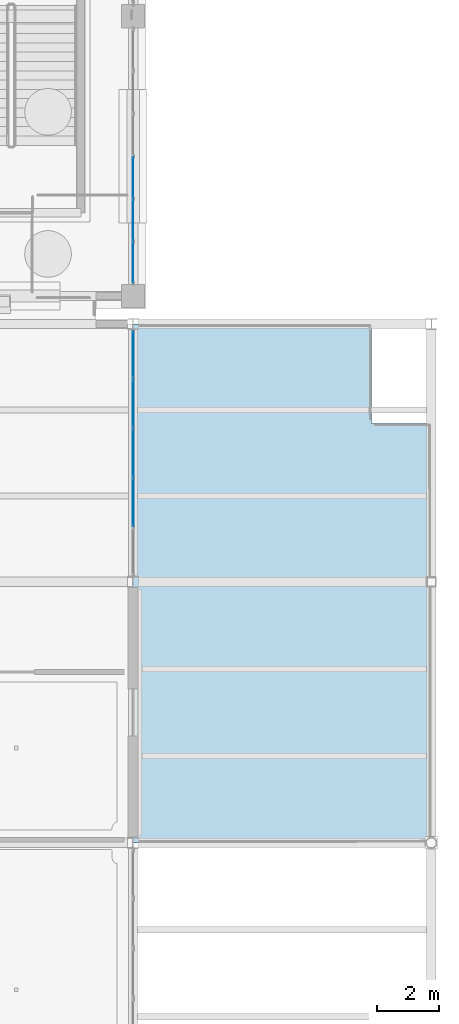
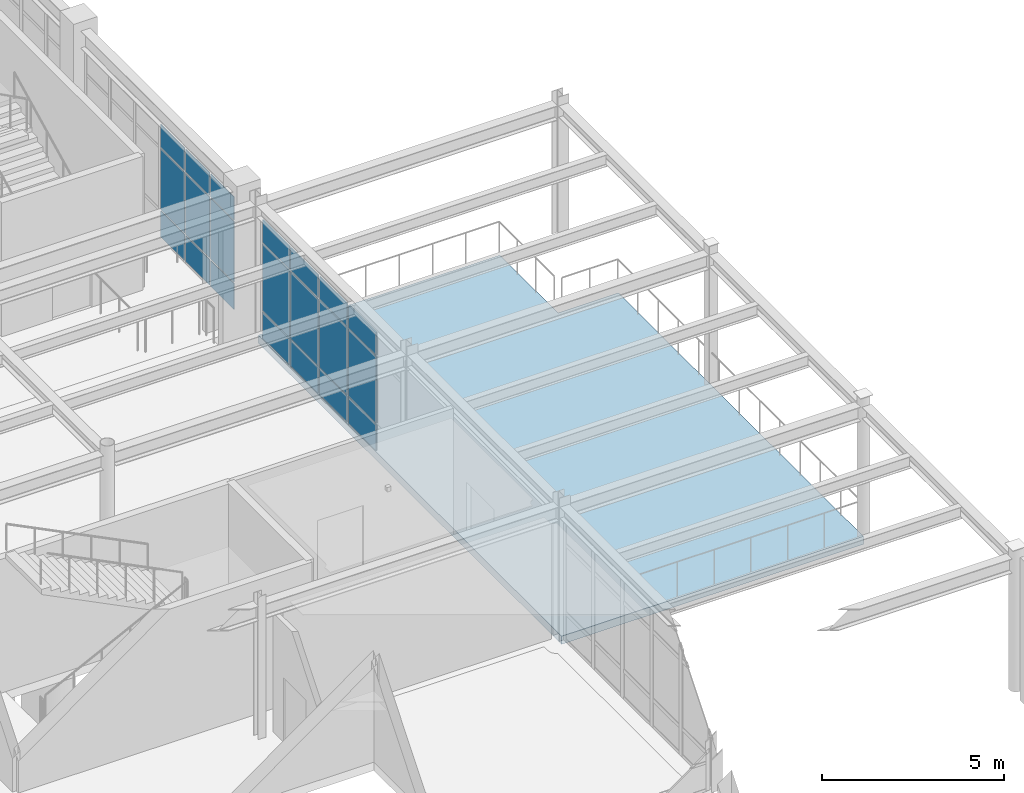
# One storey, part 94 of 139: 21 plates, 1 slab, 2 elements without a shape of their own.
"""IFC4 building model written with IfcOpenShell, lengths in metres."""

from ifc_helpers import new_model, si_unit, direction, frame, origin, origin_2d, place, context, subcontext, project, spatial, polyline, rectangle, outline, extrude, material, layer, layer_set, type_object, element, aggregate, save


model = new_model("IFC4")

# Units and contexts
model_context = context("Model", 3, precision=1e-05, world=origin(), true_north=direction((0.0, 1.0)))
body_context = subcontext(model_context, "Body", "Model", "MODEL_VIEW")
ifc_project = project(units=[si_unit("LENGTHUNIT", "METRE"), si_unit("AREAUNIT", "SQUARE_METRE"), si_unit("VOLUMEUNIT", "CUBIC_METRE"), si_unit("PLANEANGLEUNIT", "RADIAN"), si_unit("MASSUNIT", "GRAM", prefix="KILO")], contexts=[model_context])

# Site, building, storey
site_placement = place(None, origin())
site = spatial("IfcSite", under=ifc_project, at=site_placement, CompositionType="ELEMENT")
building_placement = place(site_placement, origin())
building = spatial("IfcBuilding", under=site, at=building_placement, Name="Canglan Escarpment Cableway Terminal", CompositionType="ELEMENT")
storey_placement = place(building_placement, frame((0.0, 0.0, 14.39990234375)))
storey = spatial("IfcBuildingStorey", under=building, at=storey_placement, Name="L03", CompositionType="ELEMENT", Elevation=14.39990234375)

# Curtain wall, plates
ifc_material_1 = material(Name="Anodized bronze aluminium and Low-E double glazing", Category="aluminium")
curtain_wall_type_1 = type_object("IfcCurtainWallType", Name="CW-BAY-8250x3900", PredefinedType="NOTDEFINED", material=ifc_material_1)
curtain_wall_1_placement = place(storey_placement, origin())
curtain_wall_1 = element("IfcCurtainWall", 1, at=curtain_wall_1_placement, inside=storey, type_object=curtain_wall_type_1, Name="Classical bay-between-piers glazed curtain wall CW-62", PredefinedType="NOTDEFINED")
ifc_material_2 = material(Name="Double-silver Low-E laminated insulating glass", Category="glass")
ifc_layer_1 = layer(ifc_material_2, 0.02392578125, Name="Double-silver Low-E laminated insulating glass")
ifc_layer_set_1 = layer_set([ifc_layer_1], Name="Double-silver Low-E laminated insulating glass")
plate_type_1 = type_object("IfcPlateType", Name="CWP-01", PredefinedType="CURTAIN_PANEL", material=ifc_layer_set_1)
plate_1_placement = place(storey_placement, frame((166.39990234375, 35.077392578125, 0.05517578125), z_axis=(0.0, 0.0, 1.0), x_axis=(0.0, 1.0, 0.0)))
plate_1 = element("IfcPlate", 2, at=plate_1_placement, type_object=plate_type_1, Name="CW-62 panel 1.1", PredefinedType="CURTAIN_PANEL", context=body_context, shape_type="SweptSolid", body=[
    extrude(rectangle(XDim=1.284912109375, YDim=0.02392578125, at=origin_2d()), origin(), (0.0, 0.0, 1.0), 0.867431640625),
])
plate_2_placement = place(storey_placement, frame((166.39990234375, 35.077392578125, 0.9775390625), z_axis=(0.0, 0.0, 1.0), x_axis=(0.0, 1.0, 0.0)))
plate_2 = element("IfcPlate", 3, at=plate_2_placement, type_object=plate_type_1, Name="CW-62 panel 1.2", PredefinedType="CURTAIN_PANEL", context=body_context, shape_type="SweptSolid", body=[
    extrude(rectangle(XDim=1.284912109375, YDim=0.02392578125, at=origin_2d()), origin(), (0.0, 0.0, 1.0), 2.035888671875),
])
plate_3_placement = place(storey_placement, frame((166.39990234375, 35.077392578125, 3.068603515625), z_axis=(0.0, 0.0, 1.0), x_axis=(0.0, 1.0, 0.0)))
plate_3 = element("IfcPlate", 4, at=plate_3_placement, type_object=plate_type_1, Name="CW-62 panel 1.3", PredefinedType="CURTAIN_PANEL", context=body_context, shape_type="SweptSolid", body=[
    extrude(rectangle(XDim=1.284912109375, YDim=0.02392578125, at=origin_2d()), origin(), (0.0, 0.0, 1.0), 0.767578125),
])
plate_4_placement = place(storey_placement, frame((166.39990234375, 36.4375, 0.05517578125), z_axis=(0.0, 0.0, 1.0), x_axis=(0.0, 1.0, 0.0)))
plate_4 = element("IfcPlate", 5, at=plate_4_placement, type_object=plate_type_1, Name="CW-62 panel 2.1", PredefinedType="CURTAIN_PANEL", context=body_context, shape_type="SweptSolid", body=[
    extrude(rectangle(XDim=1.31494140625, YDim=0.02392578125, at=origin_2d()), origin(), (0.0, 0.0, 1.0), 0.867431640625),
])
plate_5_placement = place(storey_placement, frame((166.39990234375, 36.4375, 0.9775390625), z_axis=(0.0, 0.0, 1.0), x_axis=(0.0, 1.0, 0.0)))
plate_5 = element("IfcPlate", 6, at=plate_5_placement, type_object=plate_type_1, Name="CW-62 panel 2.2", PredefinedType="CURTAIN_PANEL", context=body_context, shape_type="SweptSolid", body=[
    extrude(rectangle(XDim=1.31494140625, YDim=0.02392578125, at=origin_2d()), origin(), (0.0, 0.0, 1.0), 2.035888671875),
])
plate_6_placement = place(storey_placement, frame((166.39990234375, 36.4375, 3.068603515625), z_axis=(0.0, 0.0, 1.0), x_axis=(0.0, 1.0, 0.0)))
plate_6 = element("IfcPlate", 7, at=plate_6_placement, type_object=plate_type_1, Name="CW-62 panel 2.3", PredefinedType="CURTAIN_PANEL", context=body_context, shape_type="SweptSolid", body=[
    extrude(rectangle(XDim=1.31494140625, YDim=0.02392578125, at=origin_2d()), origin(), (0.0, 0.0, 1.0), 0.767578125),
])
plate_7_placement = place(storey_placement, frame((166.39990234375, 37.8125, 0.05517578125), z_axis=(0.0, 0.0, 1.0), x_axis=(0.0, 1.0, 0.0)))
plate_7 = element("IfcPlate", 8, at=plate_7_placement, type_object=plate_type_1, Name="CW-62 panel 3.1", PredefinedType="CURTAIN_PANEL", context=body_context, shape_type="SweptSolid", body=[
    extrude(rectangle(XDim=1.31494140625, YDim=0.02392578125, at=origin_2d()), origin(), (0.0, 0.0, 1.0), 0.867431640625),
])
plate_8_placement = place(storey_placement, frame((166.39990234375, 37.8125, 0.9775390625), z_axis=(0.0, 0.0, 1.0), x_axis=(0.0, 1.0, 0.0)))
plate_8 = element("IfcPlate", 9, at=plate_8_placement, type_object=plate_type_1, Name="CW-62 panel 3.2", PredefinedType="CURTAIN_PANEL", context=body_context, shape_type="SweptSolid", body=[
    extrude(rectangle(XDim=1.31494140625, YDim=0.02392578125, at=origin_2d()), origin(), (0.0, 0.0, 1.0), 2.035888671875),
])
plate_9_placement = place(storey_placement, frame((166.39990234375, 37.8125, 3.068603515625), z_axis=(0.0, 0.0, 1.0), x_axis=(0.0, 1.0, 0.0)))
plate_9 = element("IfcPlate", 10, at=plate_9_placement, type_object=plate_type_1, Name="CW-62 panel 3.3", PredefinedType="CURTAIN_PANEL", context=body_context, shape_type="SweptSolid", body=[
    extrude(rectangle(XDim=1.31494140625, YDim=0.02392578125, at=origin_2d()), origin(), (0.0, 0.0, 1.0), 0.767578125),
])
aggregate(curtain_wall_1, [plate_1, plate_2, plate_3, plate_4, plate_5, plate_6, plate_7, plate_8, plate_9])

curtain_wall_type_2 = type_object("IfcCurtainWallType", Name="CW-BAY-7950x4100", PredefinedType="NOTDEFINED", material=ifc_material_1)
curtain_wall_2_placement = place(storey_placement, origin())
curtain_wall_2 = element("IfcCurtainWall", 11, at=curtain_wall_2_placement, inside=storey, type_object=curtain_wall_type_2, Name="Classical bay-between-piers glazed curtain wall CW-31", PredefinedType="NOTDEFINED")
ifc_layer_2 = layer(ifc_material_2, 0.031982421875, Name="Double-silver Low-E laminated insulating glass")
ifc_layer_set_2 = layer_set([ifc_layer_2], Name="Double-silver Low-E laminated insulating glass")
plate_type_2 = type_object("IfcPlateType", Name="CWP-03", PredefinedType="CURTAIN_PANEL", material=ifc_layer_set_2)
plate_10_placement = place(storey_placement, frame((166.39990234375, 27.360107421875, 0.06005859375), z_axis=(0.0, 0.0, 1.0), x_axis=(0.0, 1.0, 0.0)))
plate_10 = element("IfcPlate", 12, at=plate_10_placement, type_object=plate_type_2, Name="CW-31 panel 2.1", PredefinedType="CURTAIN_PANEL", context=body_context, shape_type="SweptSolid", body=[
    extrude(rectangle(XDim=1.52490234375, YDim=0.031982421875, at=origin_2d()), origin(), (0.0, 0.0, 1.0), 0.860107421875),
])
plate_11_placement = place(storey_placement, frame((166.39990234375, 27.360107421875, 0.97998046875), z_axis=(0.0, 0.0, 1.0), x_axis=(0.0, 1.0, 0.0)))
plate_11 = element("IfcPlate", 13, at=plate_11_placement, type_object=plate_type_2, Name="CW-31 panel 2.2", PredefinedType="CURTAIN_PANEL", context=body_context, shape_type="SweptSolid", body=[
    extrude(rectangle(XDim=1.52490234375, YDim=0.031982421875, at=origin_2d()), origin(), (0.0, 0.0, 1.0), 2.235107421875),
])
plate_12_placement = place(storey_placement, frame((166.39990234375, 27.360107421875, 3.27490234375), z_axis=(0.0, 0.0, 1.0), x_axis=(0.0, 1.0, 0.0)))
plate_12 = element("IfcPlate", 14, at=plate_12_placement, type_object=plate_type_2, Name="CW-31 panel 2.3", PredefinedType="CURTAIN_PANEL", context=body_context, shape_type="SweptSolid", body=[
    extrude(rectangle(XDim=1.52490234375, YDim=0.031982421875, at=origin_2d()), origin(), (0.0, 0.0, 1.0), 0.760009765625),
])
plate_13_placement = place(storey_placement, frame((166.39990234375, 28.949951171875, 0.06005859375), z_axis=(0.0, 0.0, 1.0), x_axis=(0.0, 1.0, 0.0)))
plate_13 = element("IfcPlate", 15, at=plate_13_placement, type_object=plate_type_2, Name="CW-31 panel 3.1", PredefinedType="CURTAIN_PANEL", context=body_context, shape_type="SweptSolid", body=[
    extrude(rectangle(XDim=1.52490234375, YDim=0.031982421875, at=origin_2d()), origin(), (0.0, 0.0, 1.0), 0.860107421875),
])
plate_14_placement = place(storey_placement, frame((166.39990234375, 28.949951171875, 0.97998046875), z_axis=(0.0, 0.0, 1.0), x_axis=(0.0, 1.0, 0.0)))
plate_14 = element("IfcPlate", 16, at=plate_14_placement, type_object=plate_type_2, Name="CW-31 panel 3.2", PredefinedType="CURTAIN_PANEL", context=body_context, shape_type="SweptSolid", body=[
    extrude(rectangle(XDim=1.52490234375, YDim=0.031982421875, at=origin_2d()), origin(), (0.0, 0.0, 1.0), 2.235107421875),
])
plate_15_placement = place(storey_placement, frame((166.39990234375, 28.949951171875, 3.27490234375), z_axis=(0.0, 0.0, 1.0), x_axis=(0.0, 1.0, 0.0)))
plate_15 = element("IfcPlate", 17, at=plate_15_placement, type_object=plate_type_2, Name="CW-31 panel 3.3", PredefinedType="CURTAIN_PANEL", context=body_context, shape_type="SweptSolid", body=[
    extrude(rectangle(XDim=1.52490234375, YDim=0.031982421875, at=origin_2d()), origin(), (0.0, 0.0, 1.0), 0.760009765625),
])
plate_16_placement = place(storey_placement, frame((166.39990234375, 30.5400390625, 0.06005859375), z_axis=(0.0, 0.0, 1.0), x_axis=(0.0, 1.0, 0.0)))
plate_16 = element("IfcPlate", 18, at=plate_16_placement, type_object=plate_type_2, Name="CW-31 panel 4.1", PredefinedType="CURTAIN_PANEL", context=body_context, shape_type="SweptSolid", body=[
    extrude(rectangle(XDim=1.52490234375, YDim=0.031982421875, at=origin_2d()), origin(), (0.0, 0.0, 1.0), 0.860107421875),
])
plate_17_placement = place(storey_placement, frame((166.39990234375, 30.5400390625, 0.97998046875), z_axis=(0.0, 0.0, 1.0), x_axis=(0.0, 1.0, 0.0)))
plate_17 = element("IfcPlate", 19, at=plate_17_placement, type_object=plate_type_2, Name="CW-31 panel 4.2", PredefinedType="CURTAIN_PANEL", context=body_context, shape_type="SweptSolid", body=[
    extrude(rectangle(XDim=1.52490234375, YDim=0.031982421875, at=origin_2d()), origin(), (0.0, 0.0, 1.0), 2.235107421875),
])
plate_18_placement = place(storey_placement, frame((166.39990234375, 30.5400390625, 3.27490234375), z_axis=(0.0, 0.0, 1.0), x_axis=(0.0, 1.0, 0.0)))
plate_18 = element("IfcPlate", 20, at=plate_18_placement, type_object=plate_type_2, Name="CW-31 panel 4.3", PredefinedType="CURTAIN_PANEL", context=body_context, shape_type="SweptSolid", body=[
    extrude(rectangle(XDim=1.52490234375, YDim=0.031982421875, at=origin_2d()), origin(), (0.0, 0.0, 1.0), 0.760009765625),
])
plate_19_placement = place(storey_placement, frame((166.39990234375, 32.11376953125, 0.06005859375), z_axis=(0.0, 0.0, 1.0), x_axis=(0.0, 1.0, 0.0)))
plate_19 = element("IfcPlate", 21, at=plate_19_placement, type_object=plate_type_2, Name="CW-31 panel 5.1", PredefinedType="CURTAIN_PANEL", context=body_context, shape_type="SweptSolid", body=[
    extrude(rectangle(XDim=1.492431640625, YDim=0.031982421875, at=origin_2d()), origin(), (0.0, 0.0, 1.0), 0.860107421875),
])
plate_20_placement = place(storey_placement, frame((166.39990234375, 32.11376953125, 0.97998046875), z_axis=(0.0, 0.0, 1.0), x_axis=(0.0, 1.0, 0.0)))
plate_20 = element("IfcPlate", 22, at=plate_20_placement, type_object=plate_type_2, Name="CW-31 panel 5.2", PredefinedType="CURTAIN_PANEL", context=body_context, shape_type="SweptSolid", body=[
    extrude(rectangle(XDim=1.492431640625, YDim=0.031982421875, at=origin_2d()), origin(), (0.0, 0.0, 1.0), 2.235107421875),
])
plate_21_placement = place(storey_placement, frame((166.39990234375, 32.11376953125, 3.27490234375), z_axis=(0.0, 0.0, 1.0), x_axis=(0.0, 1.0, 0.0)))
plate_21 = element("IfcPlate", 23, at=plate_21_placement, type_object=plate_type_2, Name="CW-31 panel 5.3", PredefinedType="CURTAIN_PANEL", context=body_context, shape_type="SweptSolid", body=[
    extrude(rectangle(XDim=1.492431640625, YDim=0.031982421875, at=origin_2d()), origin(), (0.0, 0.0, 1.0), 0.760009765625),
])
aggregate(curtain_wall_2, [plate_10, plate_11, plate_12, plate_13, plate_14, plate_15, plate_16, plate_17, plate_18, plate_19, plate_20, plate_21])

# Slab
ifc_material_3 = material(Name="Concrete C40", Category="concrete")
ifc_layer_3 = layer(ifc_material_3, 0.27001953125, Name="Concrete C40")
ifc_layer_set_3 = layer_set([ifc_layer_3], Name="Concrete C40")
slab_type = type_object("IfcSlabType", Name="SLB-TERR-270", PredefinedType="FLOOR", material=ifc_layer_set_3)
slab_placement = place(storey_placement, frame((0.0, 0.0, -0.27001953125)))
element("IfcSlab", 24, at=slab_placement, inside=storey, type_object=slab_type, Name="Panoramic viewing terrace slab ST-01S", PredefinedType="FLOOR", context=body_context, shape_type="SweptSolid", body=[
    extrude(outline(polyline([(166.39990234375, 16.39990234375), (176.0, 16.39990234375), (176.0, 29.89990234375), (174.080078125, 29.89990234375), (174.080078125, 33.10009765625), (166.39990234375, 33.10009765625), (166.39990234375, 16.39990234375)])), origin(), (0.0, 0.0, 1.0), 0.27001953125),
])

save(model, "model.ifc")
